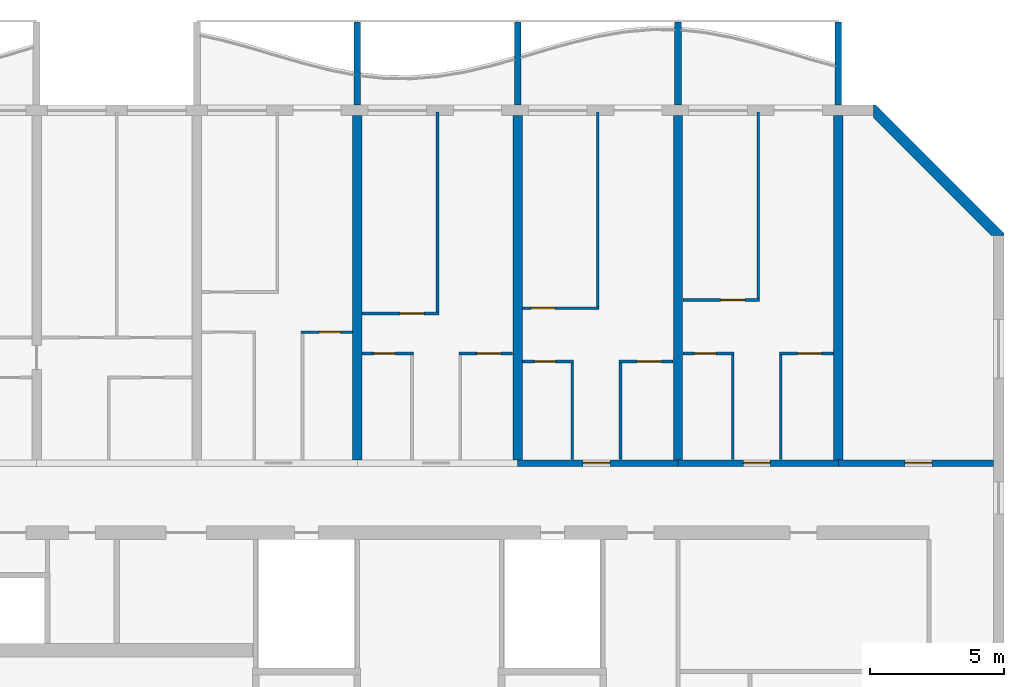
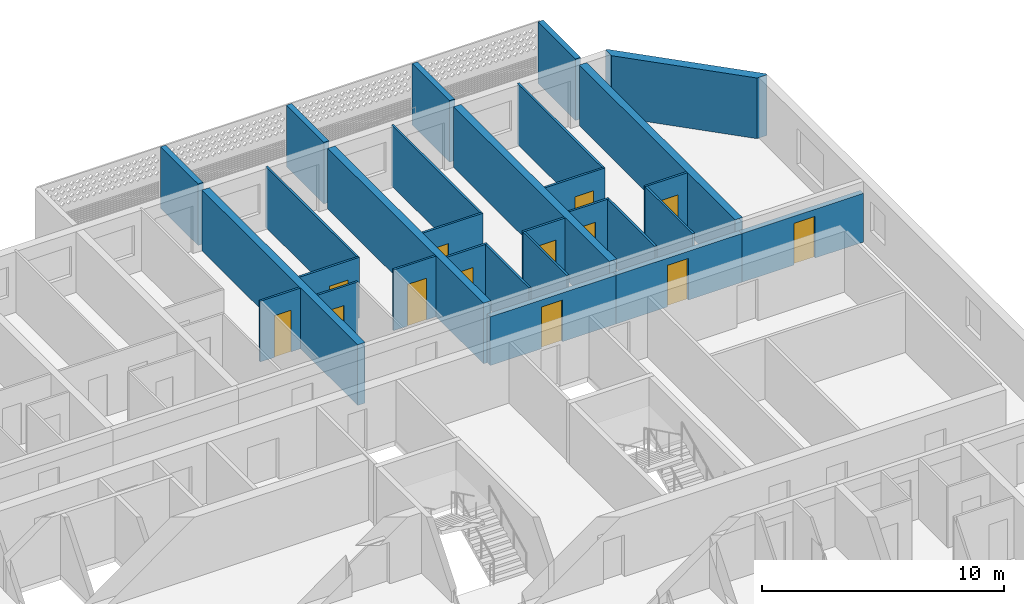
# One storey, part 15 of 26: 29 walls, 13 doors, 13 openings.
"""IFC4 building model written with IfcOpenShell, lengths in metres."""

import ifcopenshell
import ifcopenshell.guid

model = None  # the IFC model being written
_history = None  # IfcOwnerHistory: only IFC2X3 demands one
_inside = {}  # id of a spatial element -> (the spatial element, [elements in it])
_under = {}  # id of a project, library or spatial element -> (it, [spatial elements below it])
_declared = {}  # id of a project -> (the project, [libraries it declares])
_typed = {}  # id of a type object -> (the type object, [elements of that type])
_made_of = {}  # id of a material, layer set ... -> (it, [elements and type objects made of it])


def new_model(schema):
    """Start an empty IFC model of exactly this schema.

    Asked for "IFC4X3", IfcOpenShell would pick the latest addendum, in which some entities
    have other attributes; the version numbers below select the first issue.
    IFC2X3 requires an IfcOwnerHistory on every rooted entity: one is made here for all.
    """
    global model, _history
    if schema == "IFC4X3":
        model = ifcopenshell.file(schema_version=(4, 3, 0, 0))
    else:
        model = ifcopenshell.file(schema=schema)
    _inside.clear()
    _under.clear()
    _declared.clear()
    _typed.clear()
    _made_of.clear()
    _history = None
    if model.schema == "IFC2X3":
        org = make("IfcOrganization", Name="unknown")
        user = make(
            "IfcPersonAndOrganization",
            ThePerson=make("IfcPerson", FamilyName="unknown"),
            TheOrganization=org,
        )
        app = make(
            "IfcApplication",
            ApplicationDeveloper=org,
            Version="unknown",
            ApplicationFullName="unknown",
            ApplicationIdentifier="unknown",
        )
        _history = make(
            "IfcOwnerHistory",
            OwningUser=user,
            OwningApplication=app,
            ChangeAction="ADDED",
            CreationDate=0,
        )
    return model


def make(cls, **values):
    """One entity of the class cls with the attributes given. An attribute that is None is left unset."""
    return model.create_entity(
        cls, **{name: value for name, value in values.items() if value is not None}
    )


def rooted(cls, **values):
    """An entity with a GlobalId (a new one), such as an element, a storey or a relation."""
    return make(cls, GlobalId=ifcopenshell.guid.new(), OwnerHistory=_history, **values)


def si_unit(unit_type, name, prefix=None):
    """IfcSIUnit, for example si_unit("LENGTHUNIT", "METRE", prefix="MILLI")."""
    return make("IfcSIUnit", UnitType=unit_type, Prefix=prefix, Name=name)


def assignment(units):
    """IfcUnitAssignment: the units of a project."""
    return None if units is None else make("IfcUnitAssignment", Units=units)


def point(xyz):
    """IfcCartesianPoint."""
    return None if xyz is None else make("IfcCartesianPoint", Coordinates=xyz)


def direction(xyz):
    """IfcDirection."""
    return None if xyz is None else make("IfcDirection", DirectionRatios=xyz)


def frame(location, z_axis=None, x_axis=None):
    """IfcAxis2Placement3D, a coordinate frame: its origin and axes. An axis left out is left unset."""
    return make(
        "IfcAxis2Placement3D",
        Location=point(location),
        Axis=direction(z_axis),
        RefDirection=direction(x_axis),
    )


def frame_2d(location, x_axis=None):
    """IfcAxis2Placement2D, a coordinate frame in the plane: its origin and x axis."""
    return make(
        "IfcAxis2Placement2D", Location=point(location), RefDirection=direction(x_axis)
    )


def origin():
    """The frame at (0, 0, 0) with its axes left unset."""
    return frame((0.0, 0.0, 0.0))


def place(relative_to, where):
    """IfcLocalPlacement: puts the frame where relative to a parent placement (None: the world)."""
    return make(
        "IfcLocalPlacement", PlacementRelTo=relative_to, RelativePlacement=where
    )


def context(
    kind, dimensions, precision=None, world=None, true_north=None, identifier=None
):
    """IfcGeometricRepresentationContext, for example the 3D "Model" context."""
    return make(
        "IfcGeometricRepresentationContext",
        ContextIdentifier=identifier,
        ContextType=kind,
        CoordinateSpaceDimension=dimensions,
        Precision=precision,
        WorldCoordinateSystem=world,
        TrueNorth=true_north,
    )


def subcontext(parent, identifier, kind, view, scale=None):
    """IfcGeometricRepresentationSubContext, for example "Body" below "Model"."""
    return make(
        "IfcGeometricRepresentationSubContext",
        ContextIdentifier=identifier,
        ContextType=kind,
        ParentContext=parent,
        TargetScale=scale,
        TargetView=view,
    )


def project(units=None, contexts=None):
    """IfcProject with its units and contexts."""
    return rooted(
        "IfcProject",
        Name="project",
        RepresentationContexts=contexts,
        UnitsInContext=assignment(units),
    )


def spatial(cls, under=None, at=None, **own):
    """A site, building, storey or space (cls), placed at a placement, below another one or the project."""
    s = rooted(cls, ObjectPlacement=at, **own)
    if under is not None:
        _under.setdefault(under.id(), (under, []))[1].append(s)
    return s


def polyline(points):
    """IfcPolyline through the points."""
    return make("IfcPolyline", Points=[point(p) for p in points])


def profile(cls, at=None, kind="AREA", **sizes):
    """A parametric profile (cls). Its sizes go by their IFC names, for example OverallWidth=200.0."""
    return make(cls, ProfileType=kind, Position=at, **sizes)


def rectangle(**sizes):
    """IfcRectangleProfileDef."""
    return profile("IfcRectangleProfileDef", **sizes)


def outline(outer, holes=None, kind="AREA"):
    """IfcArbitraryClosedProfileDef: a profile drawn as a closed curve; with holes, ...WithVoids."""
    if holes is None:
        return make("IfcArbitraryClosedProfileDef", ProfileType=kind, OuterCurve=outer)
    return make(
        "IfcArbitraryProfileDefWithVoids",
        ProfileType=kind,
        OuterCurve=outer,
        InnerCurves=holes,
    )


def extrude(swept, where, along, depth):
    """IfcExtrudedAreaSolid: the profile swept, set in the frame where, extruded along a direction by depth."""
    return make(
        "IfcExtrudedAreaSolid",
        SweptArea=swept,
        Position=where,
        ExtrudedDirection=direction(along),
        Depth=depth,
    )


def shape(context_of_items, identifier, shape_type, items):
    """IfcShapeRepresentation: the items that make up one representation, for example the "Body"."""
    return make(
        "IfcShapeRepresentation",
        ContextOfItems=context_of_items,
        RepresentationIdentifier=identifier,
        RepresentationType=shape_type,
        Items=items,
    )


def source(mapping_origin, context_of_items, identifier, shape_type, items):
    """IfcRepresentationMap: a shape defined once, which mapped items show again and again."""
    return make(
        "IfcRepresentationMap",
        MappingOrigin=mapping_origin,
        MappedRepresentation=shape(context_of_items, identifier, shape_type, items),
    )


def transform(
    local_origin,
    x_axis=None,
    y_axis=None,
    z_axis=None,
    scale=None,
    scale2=None,
    scale3=None,
    uniform=True,
):
    """IfcCartesianTransformationOperator3D, or its non-uniform kind. x_axis, y_axis, z_axis: its Axis1, 2, 3."""
    if uniform:
        return make(
            "IfcCartesianTransformationOperator3D",
            Axis1=direction(x_axis),
            Axis2=direction(y_axis),
            LocalOrigin=point(local_origin),
            Scale=scale,
            Axis3=direction(z_axis),
        )
    return make(
        "IfcCartesianTransformationOperator3DnonUniform",
        Axis1=direction(x_axis),
        Axis2=direction(y_axis),
        LocalOrigin=point(local_origin),
        Scale=scale,
        Axis3=direction(z_axis),
        Scale2=scale2,
        Scale3=scale3,
    )


def mapped(mapping_source, mapping_target):
    """IfcMappedItem: shows the shape of a source again, moved by a transform."""
    return make(
        "IfcMappedItem", MappingSource=mapping_source, MappingTarget=mapping_target
    )


def material(Name=None, Category=None):
    """IfcMaterial."""
    return make("IfcMaterial", Name=Name, Category=Category)


def layer(
    of_material, thickness, ventilated=None, Name=None, Category=None, Priority=None
):
    """IfcMaterialLayer: one layer of a wall or slab, of a material (None: an air gap)."""
    return make(
        "IfcMaterialLayer",
        Material=of_material,
        LayerThickness=thickness,
        IsVentilated=ventilated,
        Name=Name,
        Category=Category,
        Priority=Priority,
    )


def layer_set(layers, Name=None):
    """IfcMaterialLayerSet."""
    return make("IfcMaterialLayerSet", MaterialLayers=layers, LayerSetName=Name)


def made_of(thing, what):
    """Note that an element or type object is made of a material, layer set ...; save() writes the relation."""
    if what is not None:
        _made_of.setdefault(what.id(), (what, []))[1].append(thing)
    return thing


def type_object(cls, material=None, **own):
    """A type object (cls), such as IfcWallType, which elements share."""
    return made_of(rooted(cls, **own), material)


def element(
    cls,
    number,
    at=None,
    inside=None,
    cuts=None,
    type_object=None,
    material=None,
    context=None,
    identifier="Body",
    shape_type=None,
    held_by="IfcProductDefinitionShape",
    body=None,
    shapes=None,
    **own,
):
    """One element of the class cls, such as IfcWall. Its Tag is "e" and its number.

    at: its placement. inside: the storey or other place that contains it. cuts: it is an
    opening in that element (IfcRelVoidsElement). A single representation is given by context,
    identifier, shape_type and body (its items); several are given by shapes. held_by: the class
    of the entity that holds the representations. save() writes the other relations.
    """
    e = rooted(cls, Tag="e%d" % number, ObjectPlacement=at, **own)
    if body is not None:
        shapes = [shape(context, identifier, shape_type, body)]
    if shapes is not None:
        e.Representation = make(held_by, Representations=shapes)
    if inside is not None:
        _inside.setdefault(inside.id(), (inside, []))[1].append(e)
    if cuts is not None:
        rooted(
            "IfcRelVoidsElement", RelatingBuildingElement=cuts, RelatedOpeningElement=e
        )
    if type_object is not None:
        _typed.setdefault(type_object.id(), (type_object, []))[1].append(e)
    return made_of(e, material)


def fill(opening, filler):
    """IfcRelFillsElement: the door or window that sits in an opening."""
    return rooted(
        "IfcRelFillsElement",
        RelatingOpeningElement=opening,
        RelatedBuildingElement=filler,
    )


def aggregate(whole, parts):
    """IfcRelAggregates: a whole, such as a stair, and the parts it consists of."""
    return rooted("IfcRelAggregates", RelatingObject=whole, RelatedObjects=parts)


def save(model, path):
    """Write the relations noted so far, then the file.

    IfcRelAggregates (storeys below a building ...), IfcRelContainedInSpatialStructure (elements
    in a storey), IfcRelDefinesByType, IfcRelAssociatesMaterial and IfcRelDeclares: one each for
    every whole, place, type object, material and project.
    """
    for whole, parts in _under.values():
        aggregate(whole, parts)
    for where, things in _inside.values():
        rooted(
            "IfcRelContainedInSpatialStructure",
            RelatedElements=things,
            RelatingStructure=where,
        )
    for kind, things in _typed.values():
        rooted("IfcRelDefinesByType", RelatedObjects=things, RelatingType=kind)
    for what, things in _made_of.values():
        rooted("IfcRelAssociatesMaterial", RelatedObjects=things, RelatingMaterial=what)
    for by, libraries in _declared.values():
        rooted("IfcRelDeclares", RelatingContext=by, RelatedDefinitions=libraries)
    model.write(path)


model = new_model("IFC4")

# Units and contexts
model_context = context("Model", 3, precision=1e-05, world=origin(), true_north=direction((0.0, 1.0)))
body_context = subcontext(model_context, "Body", "Model", "MODEL_VIEW")
ifc_project = project(units=[si_unit("LENGTHUNIT", "METRE"), si_unit("AREAUNIT", "SQUARE_METRE"), si_unit("VOLUMEUNIT", "CUBIC_METRE"), si_unit("PLANEANGLEUNIT", "RADIAN"), si_unit("MASSUNIT", "GRAM", prefix="KILO")], contexts=[model_context])

# Site, building, storey
site_placement = place(None, origin())
site = spatial("IfcSite", under=ifc_project, at=site_placement, CompositionType="ELEMENT")
building_placement = place(site_placement, origin())
building = spatial("IfcBuilding", under=site, at=building_placement, Name="Poui Terraces", CompositionType="ELEMENT")
storey_placement = place(building_placement, frame((0.0, 0.0, 96.0)))
storey = spatial("IfcBuildingStorey", under=building, at=storey_placement, Name="L26", CompositionType="ELEMENT", Elevation=96.0)

# Wall, opening, door
ifc_material_1 = material(Name="Concrete 65 MPa", Category="concrete")
ifc_layer_1 = layer(ifc_material_1, 0.25)
ifc_layer_set_1 = layer_set([ifc_layer_1], Name="Concrete 65 MPa")
wall_type_1 = type_object("IfcWallType", Name="CORRIDOR WALL 250 65MPa", PredefinedType="SHEAR", material=ifc_layer_set_1)
wall_1_placement = place(storey_placement, frame((78.0, 30.39990234375, 0.0), z_axis=(0.0, 0.0, 1.0), x_axis=(1.0, 0.0, 0.0)))
wall_1 = element("IfcWall", 1, at=wall_1_placement, inside=storey, type_object=wall_type_1, Name="CORRIDOR WALL LINE E BAY 13", PredefinedType="SHEAR", context=body_context, shape_type="SweptSolid", body=[
    extrude(rectangle(XDim=6.0, YDim=0.25, at=frame_2d((3.0, 0.0))), origin(), (0.0, 0.0, 1.0), 2.4599609375),
])
opening_1_placement = place(wall_1_placement, frame((2.449951171875, 0.0, 0.0)))
opening_1 = element("IfcOpeningElement", 2, at=opening_1_placement, cuts=wall_1, Name="Opening FD30S", PredefinedType="OPENING", context=body_context, shape_type="SweptSolid", body=[
    extrude(rectangle(XDim=1.0, YDim=2.10009765625, at=frame_2d((0.5, 1.050048828125))), frame((0.0, 0.135009765625, 0.0), z_axis=(0.0, -1.0, 0.0), x_axis=(1.0, 0.0, 0.0)), (0.0, 0.0, 1.0), 0.27001953125),
])
ifc_material_2 = material(Name="Steel fire door", Category="steel")
door_type_1 = type_object("IfcDoorType", Name="FLAT ENTRANCE DOOR 1000 X 2100", OperationType="NOTDEFINED", PredefinedType="DOOR", material=ifc_material_2)
door_1_placement = place(opening_1_placement, origin())
door_1 = element("IfcDoor", 3, at=door_1_placement, inside=storey, type_object=door_type_1, Name="FLAT ENTRANCE DOOR 076", OperationType="SINGLE_SWING_LEFT", OverallHeight=2.10009765625, OverallWidth=1.0, PredefinedType="DOOR", context=body_context, shape_type="SweptSolid", body=[
    extrude(rectangle(XDim=1.0, YDim=2.10009765625, at=frame_2d((0.5, 1.050048828125))), frame((0.0, 0.02490234375, 0.0), z_axis=(0.0, -1.0, 0.0), x_axis=(1.0, 0.0, 0.0)), (0.0, 0.0, 1.0), 0.050048828125),
])
fill(opening_1, door_1)

wall_2_placement = place(storey_placement, frame((84.0, 30.39990234375, 0.0), z_axis=(0.0, 0.0, 1.0), x_axis=(1.0, 0.0, 0.0)))
wall_2 = element("IfcWall", 4, at=wall_2_placement, inside=storey, type_object=wall_type_1, Name="CORRIDOR WALL LINE E BAY 14", PredefinedType="SHEAR", context=body_context, shape_type="SweptSolid", body=[
    extrude(rectangle(XDim=6.0, YDim=0.25, at=frame_2d((3.0, 0.0))), origin(), (0.0, 0.0, 1.0), 2.4599609375),
])
opening_2_placement = place(wall_2_placement, frame((2.449951171875, 0.0, 0.0)))
opening_2 = element("IfcOpeningElement", 5, at=opening_2_placement, cuts=wall_2, Name="Opening FD30S", PredefinedType="OPENING", context=body_context, shape_type="SweptSolid", body=[
    extrude(rectangle(XDim=1.0, YDim=2.10009765625, at=frame_2d((0.5, 1.050048828125))), frame((0.0, 0.135009765625, 0.0), z_axis=(0.0, -1.0, 0.0), x_axis=(1.0, 0.0, 0.0)), (0.0, 0.0, 1.0), 0.27001953125),
])
door_2_placement = place(opening_2_placement, origin())
door_2 = element("IfcDoor", 6, at=door_2_placement, inside=storey, type_object=door_type_1, Name="FLAT ENTRANCE DOOR 080", OperationType="SINGLE_SWING_LEFT", OverallHeight=2.10009765625, OverallWidth=1.0, PredefinedType="DOOR", context=body_context, shape_type="SweptSolid", body=[
    extrude(rectangle(XDim=1.0, YDim=2.10009765625, at=frame_2d((0.5, 1.050048828125))), frame((0.0, 0.02490234375, 0.0), z_axis=(0.0, -1.0, 0.0), x_axis=(1.0, 0.0, 0.0)), (0.0, 0.0, 1.0), 0.050048828125),
])
fill(opening_2, door_2)

wall_3_placement = place(storey_placement, frame((90.0, 30.39990234375, 0.0), z_axis=(0.0, 0.0, 1.0), x_axis=(1.0, 0.0, 0.0)))
wall_3 = element("IfcWall", 7, at=wall_3_placement, inside=storey, type_object=wall_type_1, Name="CORRIDOR WALL LINE E BAY 15", PredefinedType="SHEAR", context=body_context, shape_type="SweptSolid", body=[
    extrude(rectangle(XDim=5.800048828125, YDim=0.25, at=frame_2d((2.89990234375, 0.0))), origin(), (0.0, 0.0, 1.0), 2.4599609375),
])
opening_3_placement = place(wall_3_placement, frame((2.5, 0.0, 0.0)))
opening_3 = element("IfcOpeningElement", 8, at=opening_3_placement, cuts=wall_3, Name="Opening D100", PredefinedType="OPENING", context=body_context, shape_type="SweptSolid", body=[
    extrude(rectangle(XDim=1.0, YDim=2.10009765625, at=frame_2d((0.5, 1.050048828125))), frame((0.0, 0.135009765625, 0.0), z_axis=(0.0, -1.0, 0.0), x_axis=(1.0, 0.0, 0.0)), (0.0, 0.0, 1.0), 0.27001953125),
])
ifc_material_3 = material(Name="Solid core timber door", Category="wood")
door_type_2 = type_object("IfcDoorType", Name="ACCESSIBLE INTERNAL DOOR 1000 X 2100", OperationType="NOTDEFINED", PredefinedType="DOOR", material=ifc_material_3)
door_3_placement = place(opening_3_placement, origin())
door_3 = element("IfcDoor", 9, at=door_3_placement, inside=storey, type_object=door_type_2, Name="ACCESSIBLE INTERNAL DOOR 082", OperationType="SINGLE_SWING_LEFT", OverallHeight=2.10009765625, OverallWidth=1.0, PredefinedType="DOOR", context=body_context, shape_type="SweptSolid", body=[
    extrude(rectangle(XDim=1.0, YDim=2.10009765625, at=frame_2d((0.5, 1.050048828125))), frame((0.0, 0.02490234375, 0.0), z_axis=(0.0, -1.0, 0.0), x_axis=(1.0, 0.0, 0.0)), (0.0, 0.0, 1.0), 0.050048828125),
])
fill(opening_3, door_3)

# Walls
ifc_layer_2 = layer(ifc_material_1, 0.35009765625)
ifc_layer_set_2 = layer_set([ifc_layer_2], Name="Concrete 65 MPa")
wall_type_2 = type_object("IfcWallType", Name="CROSS WALL 350 65MPa", PredefinedType="SHEAR", material=ifc_layer_set_2)
for number, where, z_axis, x_axis, name in (
    (10, (72.0, 30.52490234375, 0.0), (0.0, 0.0, 1.0), (0.0, 1.0, 0.0), "CROSS WALL LINE 13 NORTH"),
    (11, (78.0, 30.52490234375, 0.0), (0.0, 0.0, 1.0), (0.0, 1.0, 0.0), "CROSS WALL LINE 14 NORTH"),
    (12, (84.0, 30.52490234375, 0.0), (0.0, 0.0, 1.0), (0.0, 1.0, 0.0), "CROSS WALL LINE 15 NORTH"),
    (13, (90.0, 30.52490234375, 0.0), (0.0, 0.0, 1.0), (0.0, 1.0, 0.0), "CROSS WALL LINE 16 NORTH"),
):
    element("IfcWall", number, at=place(storey_placement, frame(where, z_axis=z_axis, x_axis=x_axis)), inside=storey, type_object=wall_type_2, Name=name, PredefinedType="SHEAR", context=body_context, shape_type="SweptSolid", body=[
        extrude(rectangle(XDim=12.875, YDim=0.35009765625, at=frame_2d((6.4375, 0.0))), origin(), (0.0, 0.0, 1.0), 3.06005859375),
    ])

# Wall, opening, door
ifc_material_4 = material(Name="Plasterboard partition")
ifc_layer_3 = layer(ifc_material_4, 0.10009765625)
ifc_layer_set_3 = layer_set([ifc_layer_3], Name="Plasterboard partition")
wall_type_3 = type_object("IfcWallType", Name="FLAT PARTITION 100", PredefinedType="PARTITIONING", material=ifc_layer_set_3)
wall_4_placement = place(storey_placement, frame((78.18505859375, 34.199951171875, 0.0), z_axis=(0.0, 0.0, 1.0), x_axis=(1.0, 0.0, 0.0)))
wall_4 = element("IfcWall", 14, at=wall_4_placement, inside=storey, type_object=wall_type_3, Name="FLAT PARTITION 100", PredefinedType="PARTITIONING", context=body_context, shape_type="SweptSolid", body=[
    extrude(rectangle(XDim=1.9150390625, YDim=0.10009765625, at=frame_2d((0.95751953125, 0.0))), origin(), (0.0, 0.0, 1.0), 3.06005859375),
])
opening_4_placement = place(wall_4_placement, frame((0.43994140625, 0.0, 0.0)))
opening_4 = element("IfcOpeningElement", 15, at=opening_4_placement, cuts=wall_4, Name="Opening D80", PredefinedType="OPENING", context=body_context, shape_type="SweptSolid", body=[
    extrude(rectangle(XDim=0.800048828125, YDim=2.10009765625, at=frame_2d((0.39990234375, 1.050048828125))), frame((0.0, 0.06005859375, 0.0), z_axis=(0.0, -1.0, 0.0), x_axis=(1.0, 0.0, 0.0)), (0.0, 0.0, 1.0), 0.1201171875),
])
door_type_3 = type_object("IfcDoorType", Name="BATHROOM, LAUNDRY AND STORE DOOR 800 X 2100", OperationType="NOTDEFINED", PredefinedType="DOOR", material=ifc_material_3)
door_4_placement = place(opening_4_placement, frame((0.800048828125, 0.0, 0.0), z_axis=(0.0, 0.0, 1.0), x_axis=(-1.0, 0.0, 0.0)))
door_4 = element("IfcDoor", 16, at=door_4_placement, inside=storey, type_object=door_type_3, Name="BATHROOM, LAUNDRY AND STORE DOOR 075", OperationType="SINGLE_SWING_RIGHT", OverallHeight=2.10009765625, OverallWidth=0.800048828125, PredefinedType="DOOR", context=body_context, shape_type="SweptSolid", body=[
    extrude(rectangle(XDim=0.800048828125, YDim=2.10009765625, at=frame_2d((0.39990234375, 1.050048828125))), frame((0.0, 0.02490234375, 0.0), z_axis=(0.0, -1.0, 0.0), x_axis=(1.0, 0.0, 0.0)), (0.0, 0.0, 1.0), 0.050048828125),
])
fill(opening_4, door_4)

wall_5_placement = place(storey_placement, frame((81.800048828125, 34.199951171875, 0.0), z_axis=(0.0, 0.0, 1.0), x_axis=(1.0, 0.0, 0.0)))
wall_5 = element("IfcWall", 17, at=wall_5_placement, inside=storey, type_object=wall_type_3, Name="FLAT PARTITION 100", PredefinedType="PARTITIONING", context=body_context, shape_type="SweptSolid", body=[
    extrude(rectangle(XDim=2.014892578125, YDim=0.10009765625, at=frame_2d((1.00732421875, 0.0))), origin(), (0.0, 0.0, 1.0), 3.06005859375),
])
opening_5_placement = place(wall_5_placement, frame((0.675048828125, 0.0, 0.0)))
opening_5 = element("IfcOpeningElement", 18, at=opening_5_placement, cuts=wall_5, Name="Opening D90", PredefinedType="OPENING", context=body_context, shape_type="SweptSolid", body=[
    extrude(rectangle(XDim=0.89990234375, YDim=2.10009765625, at=frame_2d((0.449951171875, 1.050048828125))), frame((0.0, 0.06005859375, 0.0), z_axis=(0.0, -1.0, 0.0), x_axis=(1.0, 0.0, 0.0)), (0.0, 0.0, 1.0), 0.1201171875),
])
door_type_4 = type_object("IfcDoorType", Name="INTERNAL DOOR 900 X 2100", OperationType="NOTDEFINED", PredefinedType="DOOR", material=ifc_material_3)
door_5_placement = place(opening_5_placement, frame((0.89990234375, 0.0, 0.0), z_axis=(0.0, 0.0, 1.0), x_axis=(-1.0, 0.0, 0.0)))
door_5 = element("IfcDoor", 19, at=door_5_placement, inside=storey, type_object=door_type_4, Name="INTERNAL DOOR 077", OperationType="SINGLE_SWING_LEFT", OverallHeight=2.10009765625, OverallWidth=0.89990234375, PredefinedType="DOOR", context=body_context, shape_type="SweptSolid", body=[
    extrude(rectangle(XDim=0.89990234375, YDim=2.10009765625, at=frame_2d((0.449951171875, 1.050048828125))), frame((0.0, 0.02490234375, 0.0), z_axis=(0.0, -1.0, 0.0), x_axis=(1.0, 0.0, 0.0)), (0.0, 0.0, 1.0), 0.050048828125),
])
fill(opening_5, door_5)

wall_6_placement = place(storey_placement, frame((72.18505859375, 34.5, 0.0), z_axis=(0.0, 0.0, 1.0), x_axis=(1.0, 0.0, 0.0)))
wall_6 = element("IfcWall", 20, at=wall_6_placement, inside=storey, type_object=wall_type_3, Name="FLAT PARTITION 100", PredefinedType="PARTITIONING", context=body_context, shape_type="SweptSolid", body=[
    extrude(rectangle(XDim=1.9150390625, YDim=0.10009765625, at=frame_2d((0.95751953125, 0.0))), origin(), (0.0, 0.0, 1.0), 3.06005859375),
])
opening_6_placement = place(wall_6_placement, frame((0.43994140625, 0.0, 0.0)))
opening_6 = element("IfcOpeningElement", 21, at=opening_6_placement, cuts=wall_6, Name="Opening D80", PredefinedType="OPENING", context=body_context, shape_type="SweptSolid", body=[
    extrude(rectangle(XDim=0.800048828125, YDim=2.10009765625, at=frame_2d((0.39990234375, 1.050048828125))), frame((0.0, 0.06005859375, 0.0), z_axis=(0.0, -1.0, 0.0), x_axis=(1.0, 0.0, 0.0)), (0.0, 0.0, 1.0), 0.1201171875),
])
door_6_placement = place(opening_6_placement, frame((0.800048828125, 0.0, 0.0), z_axis=(0.0, 0.0, 1.0), x_axis=(-1.0, 0.0, 0.0)))
door_6 = element("IfcDoor", 22, at=door_6_placement, inside=storey, type_object=door_type_3, Name="BATHROOM, LAUNDRY AND STORE DOOR 070", OperationType="SINGLE_SWING_LEFT", OverallHeight=2.10009765625, OverallWidth=0.800048828125, PredefinedType="DOOR", context=body_context, shape_type="SweptSolid", body=[
    extrude(rectangle(XDim=0.800048828125, YDim=2.10009765625, at=frame_2d((0.39990234375, 1.050048828125))), frame((0.0, 0.02490234375, 0.0), z_axis=(0.0, -1.0, 0.0), x_axis=(1.0, 0.0, 0.0)), (0.0, 0.0, 1.0), 0.050048828125),
])
fill(opening_6, door_6)

wall_7_placement = place(storey_placement, frame((75.800048828125, 34.5, 0.0), z_axis=(0.0, 0.0, 1.0), x_axis=(1.0, 0.0, 0.0)))
wall_7 = element("IfcWall", 23, at=wall_7_placement, inside=storey, type_object=wall_type_3, Name="FLAT PARTITION 100", PredefinedType="PARTITIONING", context=body_context, shape_type="SweptSolid", body=[
    extrude(rectangle(XDim=2.014892578125, YDim=0.10009765625, at=frame_2d((1.00732421875, 0.0))), origin(), (0.0, 0.0, 1.0), 3.06005859375),
])
opening_7_placement = place(wall_7_placement, frame((0.675048828125, 0.0, 0.0)))
opening_7 = element("IfcOpeningElement", 24, at=opening_7_placement, cuts=wall_7, Name="Opening D90", PredefinedType="OPENING", context=body_context, shape_type="SweptSolid", body=[
    extrude(rectangle(XDim=0.89990234375, YDim=2.10009765625, at=frame_2d((0.449951171875, 1.050048828125))), frame((0.0, 0.06005859375, 0.0), z_axis=(0.0, -1.0, 0.0), x_axis=(1.0, 0.0, 0.0)), (0.0, 0.0, 1.0), 0.1201171875),
])
door_7_placement = place(opening_7_placement, frame((0.89990234375, 0.0, 0.0), z_axis=(0.0, 0.0, 1.0), x_axis=(-1.0, 0.0, 0.0)))
door_7 = element("IfcDoor", 25, at=door_7_placement, inside=storey, type_object=door_type_4, Name="INTERNAL DOOR 073", OperationType="SINGLE_SWING_RIGHT", OverallHeight=2.10009765625, OverallWidth=0.89990234375, PredefinedType="DOOR", context=body_context, shape_type="SweptSolid", body=[
    extrude(rectangle(XDim=0.89990234375, YDim=2.10009765625, at=frame_2d((0.449951171875, 1.050048828125))), frame((0.0, 0.02490234375, 0.0), z_axis=(0.0, -1.0, 0.0), x_axis=(1.0, 0.0, 0.0)), (0.0, 0.0, 1.0), 0.050048828125),
])
fill(opening_7, door_7)

wall_8_placement = place(storey_placement, frame((84.18505859375, 34.5, 0.0), z_axis=(0.0, 0.0, 1.0), x_axis=(1.0, 0.0, 0.0)))
wall_8 = element("IfcWall", 26, at=wall_8_placement, inside=storey, type_object=wall_type_3, Name="FLAT PARTITION 100", PredefinedType="PARTITIONING", context=body_context, shape_type="SweptSolid", body=[
    extrude(rectangle(XDim=1.9150390625, YDim=0.10009765625, at=frame_2d((0.95751953125, 0.0))), origin(), (0.0, 0.0, 1.0), 3.06005859375),
])
opening_8_placement = place(wall_8_placement, frame((0.43994140625, 0.0, 0.0)))
opening_8 = element("IfcOpeningElement", 27, at=opening_8_placement, cuts=wall_8, Name="Opening D80", PredefinedType="OPENING", context=body_context, shape_type="SweptSolid", body=[
    extrude(rectangle(XDim=0.800048828125, YDim=2.10009765625, at=frame_2d((0.39990234375, 1.050048828125))), frame((0.0, 0.06005859375, 0.0), z_axis=(0.0, -1.0, 0.0), x_axis=(1.0, 0.0, 0.0)), (0.0, 0.0, 1.0), 0.1201171875),
])
door_8_placement = place(opening_8_placement, frame((0.800048828125, 0.0, 0.0), z_axis=(0.0, 0.0, 1.0), x_axis=(-1.0, 0.0, 0.0)))
door_8 = element("IfcDoor", 28, at=door_8_placement, inside=storey, type_object=door_type_3, Name="BATHROOM, LAUNDRY AND STORE DOOR 078", OperationType="SINGLE_SWING_LEFT", OverallHeight=2.10009765625, OverallWidth=0.800048828125, PredefinedType="DOOR", context=body_context, shape_type="SweptSolid", body=[
    extrude(rectangle(XDim=0.800048828125, YDim=2.10009765625, at=frame_2d((0.39990234375, 1.050048828125))), frame((0.0, 0.02490234375, 0.0), z_axis=(0.0, -1.0, 0.0), x_axis=(1.0, 0.0, 0.0)), (0.0, 0.0, 1.0), 0.050048828125),
])
fill(opening_8, door_8)

wall_9_placement = place(storey_placement, frame((87.800048828125, 34.5, 0.0), z_axis=(0.0, 0.0, 1.0), x_axis=(1.0, 0.0, 0.0)))
wall_9 = element("IfcWall", 29, at=wall_9_placement, inside=storey, type_object=wall_type_3, Name="FLAT PARTITION 100", PredefinedType="PARTITIONING", context=body_context, shape_type="SweptSolid", body=[
    extrude(rectangle(XDim=2.014892578125, YDim=0.10009765625, at=frame_2d((1.00732421875, 0.0))), origin(), (0.0, 0.0, 1.0), 3.06005859375),
])
opening_9_placement = place(wall_9_placement, frame((0.675048828125, 0.0, 0.0)))
opening_9 = element("IfcOpeningElement", 30, at=opening_9_placement, cuts=wall_9, Name="Opening D90", PredefinedType="OPENING", context=body_context, shape_type="SweptSolid", body=[
    extrude(rectangle(XDim=0.89990234375, YDim=2.10009765625, at=frame_2d((0.449951171875, 1.050048828125))), frame((0.0, 0.06005859375, 0.0), z_axis=(0.0, -1.0, 0.0), x_axis=(1.0, 0.0, 0.0)), (0.0, 0.0, 1.0), 0.1201171875),
])
door_9_placement = place(opening_9_placement, frame((0.89990234375, 0.0, 0.0), z_axis=(0.0, 0.0, 1.0), x_axis=(-1.0, 0.0, 0.0)))
door_9 = element("IfcDoor", 31, at=door_9_placement, inside=storey, type_object=door_type_4, Name="INTERNAL DOOR 081", OperationType="SINGLE_SWING_RIGHT", OverallHeight=2.10009765625, OverallWidth=0.89990234375, PredefinedType="DOOR", context=body_context, shape_type="SweptSolid", body=[
    extrude(rectangle(XDim=0.89990234375, YDim=2.10009765625, at=frame_2d((0.449951171875, 1.050048828125))), frame((0.0, 0.02490234375, 0.0), z_axis=(0.0, -1.0, 0.0), x_axis=(1.0, 0.0, 0.0)), (0.0, 0.0, 1.0), 0.050048828125),
])
fill(opening_9, door_9)

wall_10_placement = place(storey_placement, frame((69.89990234375, 35.300048828125, 0.0), z_axis=(0.0, 0.0, 1.0), x_axis=(1.0, 0.0, 0.0)))
wall_10 = element("IfcWall", 32, at=wall_10_placement, inside=storey, type_object=wall_type_3, Name="FLAT PARTITION 100", PredefinedType="PARTITIONING", context=body_context, shape_type="SweptSolid", body=[
    extrude(rectangle(XDim=1.9150390625, YDim=0.10009765625, at=frame_2d((0.95751953125, 0.0))), origin(), (0.0, 0.0, 1.0), 3.06005859375),
])
opening_10_placement = place(wall_10_placement, frame((0.675048828125, 0.0, 0.0)))
opening_10 = element("IfcOpeningElement", 33, at=opening_10_placement, cuts=wall_10, Name="Opening D80", PredefinedType="OPENING", context=body_context, shape_type="SweptSolid", body=[
    extrude(rectangle(XDim=0.800048828125, YDim=2.10009765625, at=frame_2d((0.39990234375, 1.050048828125))), frame((0.0, 0.06005859375, 0.0), z_axis=(0.0, -1.0, 0.0), x_axis=(1.0, 0.0, 0.0)), (0.0, 0.0, 1.0), 0.1201171875),
])
door_10_placement = place(opening_10_placement, frame((0.800048828125, 0.0, 0.0), z_axis=(0.0, 0.0, 1.0), x_axis=(-1.0, 0.0, 0.0)))
door_10 = element("IfcDoor", 34, at=door_10_placement, inside=storey, type_object=door_type_3, Name="BATHROOM, LAUNDRY AND STORE DOOR 069", OperationType="SINGLE_SWING_LEFT", OverallHeight=2.10009765625, OverallWidth=0.800048828125, PredefinedType="DOOR", context=body_context, shape_type="SweptSolid", body=[
    extrude(rectangle(XDim=0.800048828125, YDim=2.10009765625, at=frame_2d((0.39990234375, 1.050048828125))), frame((0.0, 0.02490234375, 0.0), z_axis=(0.0, -1.0, 0.0), x_axis=(1.0, 0.0, 0.0)), (0.0, 0.0, 1.0), 0.050048828125),
])
fill(opening_10, door_10)

wall_11_placement = place(storey_placement, frame((72.18505859375, 36.0, 0.0), z_axis=(0.0, 0.0, 1.0), x_axis=(1.0, 0.0, 0.0)))
wall_11 = element("IfcWall", 35, at=wall_11_placement, inside=storey, type_object=wall_type_3, Name="FLAT PARTITION 100", PredefinedType="PARTITIONING", context=body_context, shape_type="SweptSolid", body=[
    extrude(rectangle(XDim=2.864990234375, YDim=0.10009765625, at=frame_2d((1.4326171875, 0.0))), origin(), (0.0, 0.0, 1.0), 3.06005859375),
])
opening_11_placement = place(wall_11_placement, frame((1.4150390625, 0.0, 0.0)))
opening_11 = element("IfcOpeningElement", 36, at=opening_11_placement, cuts=wall_11, Name="Opening D90", PredefinedType="OPENING", context=body_context, shape_type="SweptSolid", body=[
    extrude(rectangle(XDim=0.89990234375, YDim=2.10009765625, at=frame_2d((0.449951171875, 1.050048828125))), frame((0.0, 0.06005859375, 0.0), z_axis=(0.0, -1.0, 0.0), x_axis=(1.0, 0.0, 0.0)), (0.0, 0.0, 1.0), 0.1201171875),
])
door_11_placement = place(opening_11_placement, frame((0.89990234375, 0.0, 0.0), z_axis=(0.0, 0.0, 1.0), x_axis=(-1.0, 0.0, 0.0)))
door_11 = element("IfcDoor", 37, at=door_11_placement, inside=storey, type_object=door_type_4, Name="INTERNAL DOOR 071", OperationType="SINGLE_SWING_RIGHT", OverallHeight=2.10009765625, OverallWidth=0.89990234375, PredefinedType="DOOR", context=body_context, shape_type="SweptSolid", body=[
    extrude(rectangle(XDim=0.89990234375, YDim=2.10009765625, at=frame_2d((0.449951171875, 1.050048828125))), frame((0.0, 0.02490234375, 0.0), z_axis=(0.0, -1.0, 0.0), x_axis=(1.0, 0.0, 0.0)), (0.0, 0.0, 1.0), 0.050048828125),
])
fill(opening_11, door_11)

wall_12_placement = place(storey_placement, frame((78.18505859375, 36.199951171875, 0.0), z_axis=(0.0, 0.0, 1.0), x_axis=(1.0, 0.0, 0.0)))
wall_12 = element("IfcWall", 38, at=wall_12_placement, inside=storey, type_object=wall_type_3, Name="FLAT PARTITION 100", PredefinedType="PARTITIONING", context=body_context, shape_type="SweptSolid", body=[
    extrude(rectangle(XDim=2.864990234375, YDim=0.10009765625, at=frame_2d((1.4326171875, 0.0))), origin(), (0.0, 0.0, 1.0), 3.06005859375),
])
opening_12_placement = place(wall_12_placement, frame((0.31494140625, 0.0, 0.0)))
opening_12 = element("IfcOpeningElement", 39, at=opening_12_placement, cuts=wall_12, Name="Opening D90", PredefinedType="OPENING", context=body_context, shape_type="SweptSolid", body=[
    extrude(rectangle(XDim=0.89990234375, YDim=2.10009765625, at=frame_2d((0.449951171875, 1.050048828125))), frame((0.0, 0.06005859375, 0.0), z_axis=(0.0, -1.0, 0.0), x_axis=(1.0, 0.0, 0.0)), (0.0, 0.0, 1.0), 0.1201171875),
])
door_12_placement = place(opening_12_placement, frame((0.89990234375, 0.0, 0.0), z_axis=(0.0, 0.0, 1.0), x_axis=(-1.0, 0.0, 0.0)))
door_12 = element("IfcDoor", 40, at=door_12_placement, inside=storey, type_object=door_type_4, Name="INTERNAL DOOR 074", OperationType="SINGLE_SWING_LEFT", OverallHeight=2.10009765625, OverallWidth=0.89990234375, PredefinedType="DOOR", context=body_context, shape_type="SweptSolid", body=[
    extrude(rectangle(XDim=0.89990234375, YDim=2.10009765625, at=frame_2d((0.449951171875, 1.050048828125))), frame((0.0, 0.02490234375, 0.0), z_axis=(0.0, -1.0, 0.0), x_axis=(1.0, 0.0, 0.0)), (0.0, 0.0, 1.0), 0.050048828125),
])
fill(opening_12, door_12)

wall_13_placement = place(storey_placement, frame((84.18505859375, 36.5, 0.0), z_axis=(0.0, 0.0, 1.0), x_axis=(1.0, 0.0, 0.0)))
wall_13 = element("IfcWall", 41, at=wall_13_placement, inside=storey, type_object=wall_type_3, Name="FLAT PARTITION 100", PredefinedType="PARTITIONING", context=body_context, shape_type="SweptSolid", body=[
    extrude(rectangle(XDim=2.864990234375, YDim=0.10009765625, at=frame_2d((1.4326171875, 0.0))), origin(), (0.0, 0.0, 1.0), 3.06005859375),
])
opening_13_placement = place(wall_13_placement, frame((1.4150390625, 0.0, 0.0)))
opening_13 = element("IfcOpeningElement", 42, at=opening_13_placement, cuts=wall_13, Name="Opening D90", PredefinedType="OPENING", context=body_context, shape_type="SweptSolid", body=[
    extrude(rectangle(XDim=0.89990234375, YDim=2.10009765625, at=frame_2d((0.449951171875, 1.050048828125))), frame((0.0, 0.06005859375, 0.0), z_axis=(0.0, -1.0, 0.0), x_axis=(1.0, 0.0, 0.0)), (0.0, 0.0, 1.0), 0.1201171875),
])
door_13_placement = place(opening_13_placement, frame((0.89990234375, 0.0, 0.0), z_axis=(0.0, 0.0, 1.0), x_axis=(-1.0, 0.0, 0.0)))
door_13 = element("IfcDoor", 43, at=door_13_placement, inside=storey, type_object=door_type_4, Name="INTERNAL DOOR 079", OperationType="SINGLE_SWING_RIGHT", OverallHeight=2.10009765625, OverallWidth=0.89990234375, PredefinedType="DOOR", context=body_context, shape_type="SweptSolid", body=[
    extrude(rectangle(XDim=0.89990234375, YDim=2.10009765625, at=frame_2d((0.449951171875, 1.050048828125))), frame((0.0, 0.02490234375, 0.0), z_axis=(0.0, -1.0, 0.0), x_axis=(1.0, 0.0, 0.0)), (0.0, 0.0, 1.0), 0.050048828125),
])
fill(opening_13, door_13)

# Walls
wall_14_placement = place(storey_placement, frame((75.0, 36.050048828125, 0.0), z_axis=(0.0, 0.0, 1.0), x_axis=(0.0, 1.0, 0.0)))
element("IfcWall", 44, at=wall_14_placement, inside=storey, type_object=wall_type_3, Name="FLAT PARTITION 100", PredefinedType="PARTITIONING", context=body_context, shape_type="SweptSolid", body=[
    extrude(rectangle(XDim=7.489990234375, YDim=0.10009765625, at=frame_2d((3.7451171875, 0.0))), origin(), (0.0, 0.0, 1.0), 3.06005859375),
])
wall_15_placement = place(storey_placement, frame((80.050048828125, 30.534912109375, 0.0), z_axis=(0.0, 0.0, 1.0), x_axis=(0.0, 1.0, 0.0)))
element("IfcWall", 45, at=wall_15_placement, inside=storey, type_object=wall_type_3, Name="FLAT PARTITION 100", PredefinedType="PARTITIONING", context=body_context, shape_type="SweptSolid", body=[
    extrude(rectangle(XDim=3.614990234375, YDim=0.10009765625, at=frame_2d((1.8076171875, 0.0))), origin(), (0.0, 0.0, 1.0), 3.06005859375),
])
wall_16_placement = place(storey_placement, frame((81.0, 36.25, 0.0), z_axis=(0.0, 0.0, 1.0), x_axis=(0.0, 1.0, 0.0)))
element("IfcWall", 46, at=wall_16_placement, inside=storey, type_object=wall_type_3, Name="FLAT PARTITION 100", PredefinedType="PARTITIONING", context=body_context, shape_type="SweptSolid", body=[
    extrude(rectangle(XDim=7.2900390625, YDim=0.10009765625, at=frame_2d((3.64501953125, 0.0))), origin(), (0.0, 0.0, 1.0), 3.06005859375),
])
wall_17_placement = place(storey_placement, frame((81.85009765625, 30.534912109375, 0.0), z_axis=(0.0, 0.0, 1.0), x_axis=(0.0, 1.0, 0.0)))
element("IfcWall", 47, at=wall_17_placement, inside=storey, type_object=wall_type_3, Name="FLAT PARTITION 100", PredefinedType="PARTITIONING", context=body_context, shape_type="SweptSolid", body=[
    extrude(rectangle(XDim=3.614990234375, YDim=0.10009765625, at=frame_2d((1.8076171875, 0.0))), origin(), (0.0, 0.0, 1.0), 3.06005859375),
])
wall_18_placement = place(storey_placement, frame((86.050048828125, 30.534912109375, 0.0), z_axis=(0.0, 0.0, 1.0), x_axis=(0.0, 1.0, 0.0)))
element("IfcWall", 48, at=wall_18_placement, inside=storey, type_object=wall_type_3, Name="FLAT PARTITION 100", PredefinedType="PARTITIONING", context=body_context, shape_type="SweptSolid", body=[
    extrude(rectangle(XDim=3.9150390625, YDim=0.10009765625, at=frame_2d((1.95751953125, 0.0))), origin(), (0.0, 0.0, 1.0), 3.06005859375),
])
wall_19_placement = place(storey_placement, frame((87.0, 36.550048828125, 0.0), z_axis=(0.0, 0.0, 1.0), x_axis=(0.0, 1.0, 0.0)))
element("IfcWall", 49, at=wall_19_placement, inside=storey, type_object=wall_type_3, Name="FLAT PARTITION 100", PredefinedType="PARTITIONING", context=body_context, shape_type="SweptSolid", body=[
    extrude(rectangle(XDim=6.989990234375, YDim=0.10009765625, at=frame_2d((3.4951171875, 0.0))), origin(), (0.0, 0.0, 1.0), 3.06005859375),
])
wall_20_placement = place(storey_placement, frame((87.85009765625, 30.534912109375, 0.0), z_axis=(0.0, 0.0, 1.0), x_axis=(0.0, 1.0, 0.0)))
element("IfcWall", 50, at=wall_20_placement, inside=storey, type_object=wall_type_3, Name="FLAT PARTITION 100", PredefinedType="PARTITIONING", context=body_context, shape_type="SweptSolid", body=[
    extrude(rectangle(XDim=3.9150390625, YDim=0.10009765625, at=frame_2d((1.95751953125, 0.0))), origin(), (0.0, 0.0, 1.0), 3.06005859375),
])
ifc_material_5 = material(Name="Precast concrete 40 MPa", Category="concrete")
ifc_layer_4 = layer(ifc_material_5, 0.39990234375)
ifc_layer_set_4 = layer_set([ifc_layer_4], Name="Precast concrete 40 MPa")
wall_type_4 = type_object("IfcWallType", Name="TERRACOTTA CLAD CHAMFER WALL 400", PredefinedType="STANDARD", material=ifc_layer_set_4)
wall_21_placement = place(storey_placement, origin())
element("IfcWall", 51, at=wall_21_placement, inside=storey, type_object=wall_type_4, Name="CHAMFER WALL CH03", PredefinedType="STANDARD", context=body_context, shape_type="SweptSolid", body=[
    extrude(outline(polyline([(96.199951171875, 38.917236328125), (96.199951171875, 39.0), (91.39990234375, 43.800048828125), (91.317138671875, 43.800048828125), (91.317138671875, 43.317138671875), (95.71728515625, 38.917236328125), (96.199951171875, 38.917236328125)])), origin(), (0.0, 0.0, 1.0), 3.06005859375),
])
ifc_layer_5 = layer(ifc_material_5, 0.25)
ifc_layer_set_5 = layer_set([ifc_layer_5], Name="Precast concrete 40 MPa")
wall_type_5 = type_object("IfcWallType", Name="BALCONY FIN 250", PredefinedType="STANDARD", material=ifc_layer_set_5)
shared_shape = source(origin(), body_context, "Body", "SweptSolid", [
    extrude(outline(polyline([(0.0, 0.0), (0.25, 0.0), (0.25, 3.099853515625), (0.0, 3.099853515625), (0.0, 0.0)])), origin(), (0.0, 0.0, 1.0), 3.10009765625),
])
for number, where, name in (
    (52, (71.875, 43.800048828125, 0.0), "BALCONY FIN"),
    (53, (77.875, 43.800048828125, 0.0), "BALCONY FIN"),
    (54, (83.875, 43.800048828125, 0.0), "BALCONY FIN"),
    (55, (89.875, 43.800048828125, 0.0), "BALCONY FIN"),
):
    element("IfcWall", number, at=place(storey_placement, frame(where)), inside=storey, type_object=wall_type_5, Name=name, PredefinedType="STANDARD", context=body_context, shape_type="MappedRepresentation", body=[
        mapped(shared_shape, transform((0.0, 0.0, 0.0))),
    ])

save(model, "model.ifc")
